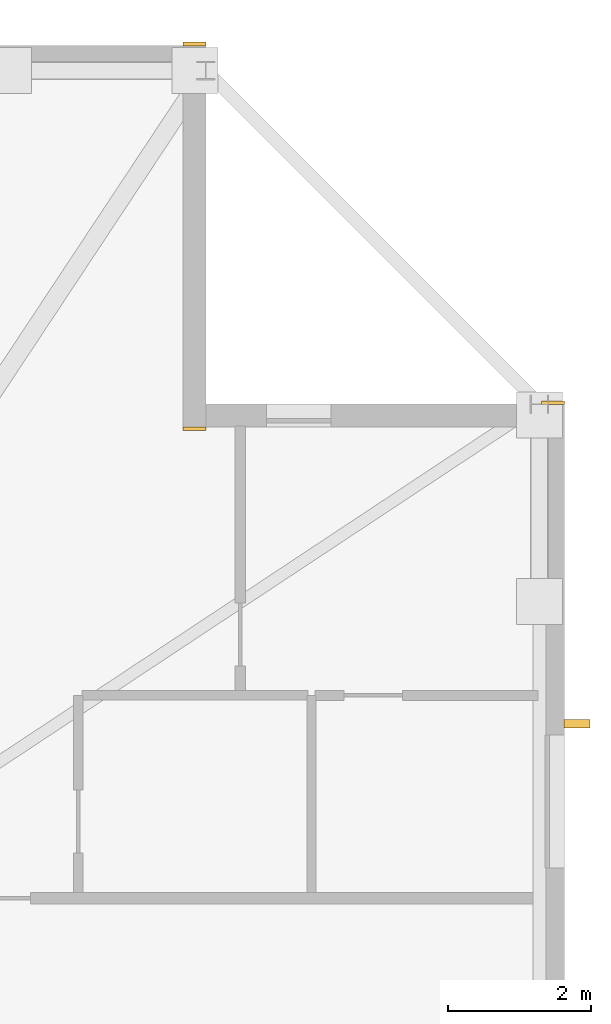
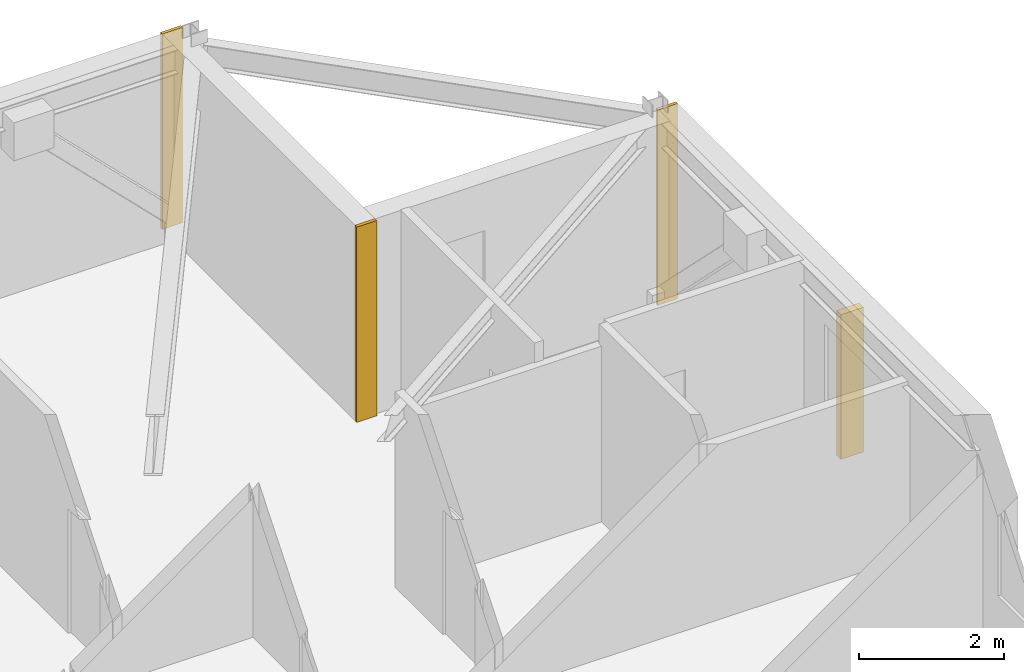
# One storey, part 17 of 17: 3 coverings, 1 shading device.
"""IFC4 building model written with IfcOpenShell, lengths in metres."""

from ifc_helpers import new_model, si_unit, direction, frame, frame_2d, origin, origin_2d, place, context, subcontext, project, spatial, rectangle, extrude, material, layer, layer_set, type_object, element, save


model = new_model("IFC4")

# Units and contexts
model_context = context("Model", 3, precision=1e-05, world=origin(), true_north=direction((0.0, 1.0)))
body_context = subcontext(model_context, "Body", "Model", "MODEL_VIEW")
ifc_project = project(units=[si_unit("LENGTHUNIT", "METRE"), si_unit("AREAUNIT", "SQUARE_METRE"), si_unit("VOLUMEUNIT", "CUBIC_METRE"), si_unit("PLANEANGLEUNIT", "RADIAN"), si_unit("MASSUNIT", "GRAM", prefix="KILO")], contexts=[model_context])

# Site, building, storey
site_placement = place(None, origin())
site = spatial("IfcSite", under=ifc_project, at=site_placement, CompositionType="ELEMENT")
building_placement = place(site_placement, origin())
building = spatial("IfcBuilding", under=site, at=building_placement, Name="Cairnveth Concourse Tower", CompositionType="ELEMENT")
storey_placement = place(building_placement, frame((0.0, 0.0, 223.5)))
storey = spatial("IfcBuildingStorey", under=building, at=storey_placement, Name="L61", CompositionType="ELEMENT", Elevation=223.5)

# Coverings
ifc_material_1 = material(Name="Dressed Melbourne Bluestone Cladding", Category="masonry")
ifc_layer = layer(ifc_material_1, 0.050048828125)
ifc_layer_set = layer_set([ifc_layer], Name="Dressed Melbourne Bluestone Cladding")
covering_type = type_object("IfcCoveringType", Name="DRESSED BLUESTONE PLINTH CLADDING 50", PredefinedType="CLADDING", material=ifc_layer_set)
for number, where, z_axis, x_axis, name in (
    (1, (69.179931640625, 61.52001953125, 0.0), (0.0, 0.0, 1.0), (1.0, 0.0, 0.0), "Melbourne Bluestone Corner Quoin L61-912"),
    (2, (69.179931640625, 56.159912109375, 0.0), (0.0, 0.0, 1.0), (1.0, 0.0, 0.0), "Melbourne Bluestone Corner Quoin L61-913"),
    (3, (74.179931640625, 56.52001953125, 0.0), (0.0, 0.0, 1.0), (1.0, 0.0, 0.0), "Melbourne Bluestone Corner Quoin L61-914"),
):
    element("IfcCovering", number, at=place(storey_placement, frame(where, z_axis=z_axis, x_axis=x_axis)), inside=storey, type_object=covering_type, Name=name, PredefinedType="CLADDING", context=body_context, shape_type="SweptSolid", body=[
        extrude(rectangle(XDim=0.320068359375, YDim=0.050048828125, at=frame_2d((0.16015625, 0.0))), origin(), (0.0, 0.0, 1.0), 3.2900390625),
    ])

# Shading device
ifc_material_2 = material(Name="Architectural Bronze Anodised Aluminium 6063-T6", Category="aluminium")
shading_device_type = type_object("IfcShadingDeviceType", Name="GOTHIC BRONZE VERTICAL LANCET FIN", PredefinedType="USERDEFINED", material=ifc_material_2)
shading_device_placement = place(storey_placement, frame((74.675048828125, 52.04736328125, 0.030029296875), z_axis=(0.0, 0.0, 1.0), x_axis=(0.0, 1.0, 0.0)))
element("IfcShadingDevice", 4, at=shading_device_placement, inside=storey, type_object=shading_device_type, Name="Gothic Bronze Vertical Fin L61-3-1", ObjectType="VERTICAL FIN", PredefinedType="USERDEFINED", context=body_context, shape_type="SweptSolid", body=[
    extrude(rectangle(XDim=0.1201171875, YDim=0.360107421875, at=origin_2d()), origin(), (0.0, 0.0, 1.0), 2.43798828125),
])

save(model, "model.ifc")
